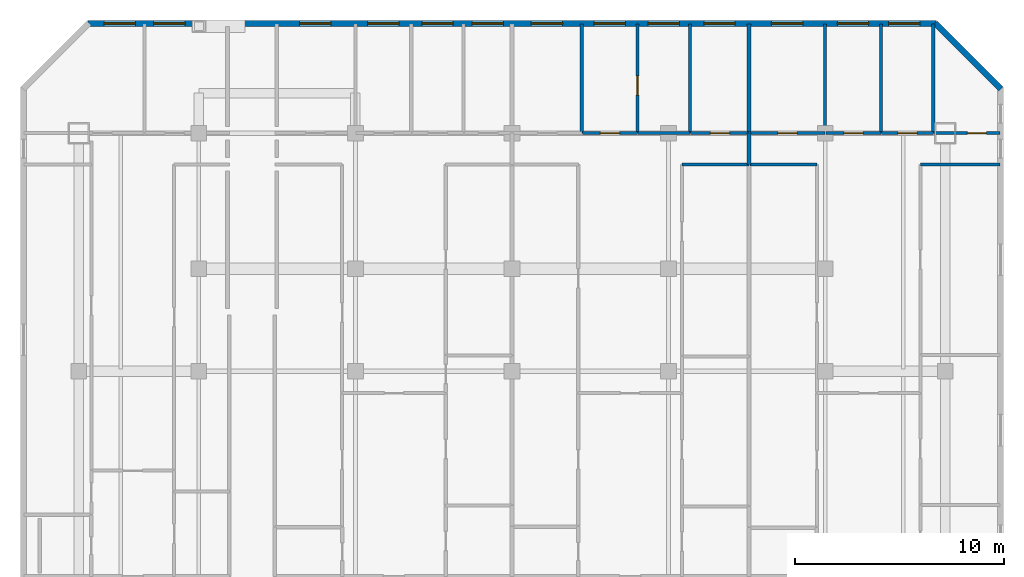
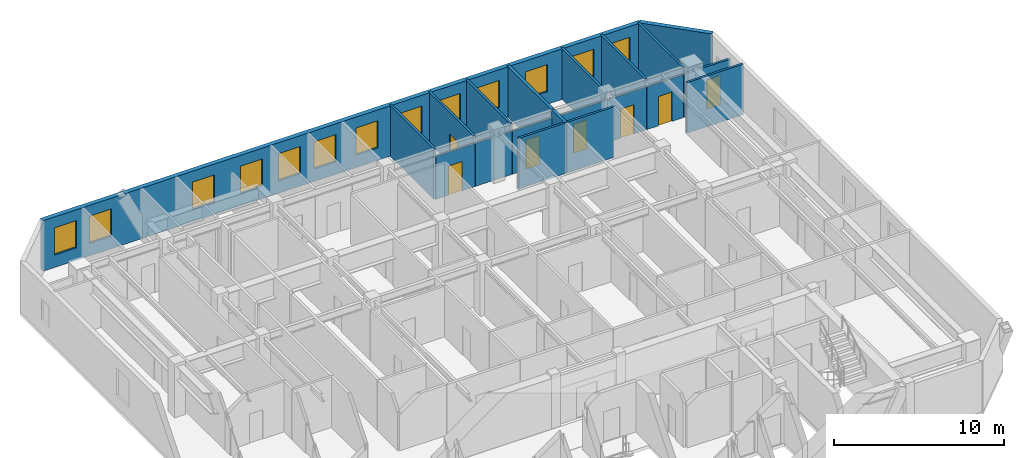
# One storey, part 7 of 9: 20 walls, 13 windows, 7 doors, 20 openings.
"""IFC4 building model written with IfcOpenShell, lengths in metres."""

from ifc_helpers import new_model, si_unit, direction, frame, frame_2d, origin, place, context, subcontext, project, spatial, rectangle, extrude, material, layer, layer_set, type_object, element, fill, save


model = new_model("IFC4")

# Units and contexts
model_context = context("Model", 3, precision=1e-05, world=origin(), true_north=direction((0.0, 1.0)))
body_context = subcontext(model_context, "Body", "Model", "MODEL_VIEW")
ifc_project = project(units=[si_unit("LENGTHUNIT", "METRE"), si_unit("AREAUNIT", "SQUARE_METRE"), si_unit("VOLUMEUNIT", "CUBIC_METRE"), si_unit("PLANEANGLEUNIT", "RADIAN"), si_unit("MASSUNIT", "GRAM", prefix="KILO")], contexts=[model_context])

# Site, building, storey
site_placement = place(None, origin())
site = spatial("IfcSite", under=ifc_project, at=site_placement, CompositionType="ELEMENT")
building_placement = place(site_placement, origin())
building = spatial("IfcBuilding", under=site, at=building_placement, Name="Ventersveld Concourse Tower", CompositionType="ELEMENT")
storey_placement = place(building_placement, frame((0.0, 0.0, 215.699951171875)))
storey = spatial("IfcBuildingStorey", under=building, at=storey_placement, Name="L53", CompositionType="ELEMENT", Elevation=215.699951171875)

# Walls
ifc_material_1 = material(Name="Fire-rated autoclaved aerated masonry blockwork", Category="masonry")
ifc_layer_1 = layer(ifc_material_1, 0.199951171875)
ifc_layer_set_1 = layer_set([ifc_layer_1], Name="Fire-rated autoclaved aerated masonry blockwork")
wall_type_1 = type_object("IfcWallType", Name="WL-DEMISE-200", PredefinedType="PARTITIONING", material=ifc_layer_set_1)
wall_1_placement = place(storey_placement, frame((40.110107421875, 33.4951171875, 0.0), z_axis=(0.0, 0.0, 1.0), x_axis=(0.0, 1.0, 0.0)))
element("IfcWall", 1, at=wall_1_placement, inside=storey, type_object=wall_type_1, Name="L53 Interior Partition SP-L53-53N2-LIV-SP-L53-53N3-LIV", PredefinedType="PARTITIONING", context=body_context, shape_type="SweptSolid", body=[
    extrude(rectangle(XDim=1.509765625, YDim=0.199951171875, at=frame_2d((0.7548828125, 0.0))), origin(), (0.0, 0.0, 1.0), 3.630126953125),
])
wall_2_placement = place(storey_placement, frame((40.110107421875, 35.034912109375, 0.0), z_axis=(0.0, 0.0, 1.0), x_axis=(0.0, 1.0, 0.0)))
element("IfcWall", 2, at=wall_2_placement, inside=storey, type_object=wall_type_1, Name="L53 Interior Partition SP-L53-53N2-BR4-SP-L53-53N3-BR1", PredefinedType="PARTITIONING", context=body_context, shape_type="SweptSolid", body=[
    extrude(rectangle(XDim=5.192626953125, YDim=0.199951171875, at=frame_2d((2.59619140625, 0.0))), origin(), (0.0, 0.0, 1.0), 3.630126953125),
])
ifc_material_2 = material(Name="Autoclaved aerated masonry blockwork", Category="masonry")
ifc_layer_2 = layer(ifc_material_2, 0.14990234375)
ifc_layer_set_2 = layer_set([ifc_layer_2], Name="Autoclaved aerated masonry blockwork")
wall_type_2 = type_object("IfcWallType", Name="WL-INT-150", PredefinedType="PARTITIONING", material=ifc_layer_set_2)
wall_3_placement = place(storey_placement, frame((36.883056640625, 33.5, 0.0), z_axis=(0.0, 0.0, 1.0), x_axis=(1.0, 0.0, 0.0)))
element("IfcWall", 3, at=wall_3_placement, inside=storey, type_object=wall_type_2, Name="L53 Interior Partition SP-L53-53N2-LIV-SP-L53-53N2-DENS", PredefinedType="PARTITIONING", context=body_context, shape_type="SweptSolid", body=[
    extrude(rectangle(XDim=3.23193359375, YDim=0.14990234375, at=frame_2d((1.615966796875, 0.0))), origin(), (0.0, 0.0, 1.0), 3.630126953125),
])

# Wall, opening, door
wall_4_placement = place(storey_placement, frame((32.123779296875, 35.0, 0.0), z_axis=(0.0, 0.0, 1.0), x_axis=(1.0, 0.0, 0.0)))
wall_4 = element("IfcWall", 4, at=wall_4_placement, inside=storey, type_object=wall_type_2, Name="L53 Interior Partition SP-L53-53N2-LIV-SP-L53-53N2-BR2", PredefinedType="PARTITIONING", context=body_context, shape_type="SweptSolid", body=[
    extrude(rectangle(XDim=2.643798828125, YDim=0.14990234375, at=frame_2d((1.32177734375, 0.0))), origin(), (0.0, 0.0, 1.0), 3.08544921875),
])
opening_1_placement = place(wall_4_placement, frame((0.86181640625, 0.0, 0.0)))
opening_1 = element("IfcOpeningElement", 5, at=opening_1_placement, cuts=wall_4, Name="Opening ID1", PredefinedType="OPENING", context=body_context, shape_type="SweptSolid", body=[
    extrude(rectangle(XDim=0.919921875, YDim=2.10009765625, at=frame_2d((0.4599609375, 1.050048828125))), frame((0.0, 0.0849609375, 0.0), z_axis=(0.0, -1.0, 0.0), x_axis=(1.0, 0.0, 0.0)), (0.0, 0.0, 1.0), 0.169921875),
])
ifc_material_3 = material(Name="Solid-core hardwood veneer timber", Category="wood")
door_type = type_object("IfcDoorType", Name="DR-ROOM-092", OperationType="NOTDEFINED", PredefinedType="DOOR", material=ifc_material_3)
door_1_placement = place(opening_1_placement, origin())
door_1 = element("IfcDoor", 6, at=door_1_placement, inside=storey, type_object=door_type, Name="L53 Interior Door SP-L53-53N2-LIV to SP-L53-53N2-BR2 (D-L53-2598)", OperationType="SINGLE_SWING_RIGHT", OverallHeight=2.10009765625, OverallWidth=0.919921875, PredefinedType="DOOR", context=body_context, shape_type="SweptSolid", body=[
    extrude(rectangle(XDim=0.919921875, YDim=2.10009765625, at=frame_2d((0.4599609375, 1.050048828125))), frame((0.0, 0.02490234375, 0.0), z_axis=(0.0, -1.0, 0.0), x_axis=(1.0, 0.0, 0.0)), (0.0, 0.0, 1.0), 0.050048828125),
])
fill(opening_1, door_1)

# Wall
wall_5_placement = place(storey_placement, frame((34.797607421875, 35.0, 0.0), z_axis=(0.0, 0.0, 1.0), x_axis=(1.0, 0.0, 0.0)))
element("IfcWall", 7, at=wall_5_placement, inside=storey, type_object=wall_type_2, Name="L53 Interior Partition SP-L53-53N2-LIV-SP-L53-53N2-BR3", PredefinedType="PARTITIONING", context=body_context, shape_type="SweptSolid", body=[
    extrude(rectangle(XDim=2.4775390625, YDim=0.14990234375, at=frame_2d((1.23876953125, 0.0))), origin(), (0.0, 0.0, 1.0), 3.08544921875),
])

# Wall, opening, door
wall_6_placement = place(storey_placement, frame((37.30517578125, 35.0, 0.0), z_axis=(0.0, 0.0, 1.0), x_axis=(1.0, 0.0, 0.0)))
wall_6 = element("IfcWall", 8, at=wall_6_placement, inside=storey, type_object=wall_type_2, Name="L53 Interior Partition SP-L53-53N2-LIV-SP-L53-53N2-BR4", PredefinedType="PARTITIONING", context=body_context, shape_type="SweptSolid", body=[
    extrude(rectangle(XDim=2.809814453125, YDim=0.14990234375, at=frame_2d((1.40478515625, 0.0))), origin(), (0.0, 0.0, 1.0), 3.08544921875),
])
opening_2_placement = place(wall_6_placement, frame((0.94482421875, 0.0, 0.0)))
opening_2 = element("IfcOpeningElement", 9, at=opening_2_placement, cuts=wall_6, Name="Opening ID1", PredefinedType="OPENING", context=body_context, shape_type="SweptSolid", body=[
    extrude(rectangle(XDim=0.919921875, YDim=2.10009765625, at=frame_2d((0.4599609375, 1.050048828125))), frame((0.0, 0.0849609375, 0.0), z_axis=(0.0, -1.0, 0.0), x_axis=(1.0, 0.0, 0.0)), (0.0, 0.0, 1.0), 0.169921875),
])
door_2_placement = place(opening_2_placement, origin())
door_2 = element("IfcDoor", 10, at=door_2_placement, inside=storey, type_object=door_type, Name="L53 Interior Door SP-L53-53N2-LIV to SP-L53-53N2-BR4 (D-L53-2600)", OperationType="SINGLE_SWING_RIGHT", OverallHeight=2.10009765625, OverallWidth=0.919921875, PredefinedType="DOOR", context=body_context, shape_type="SweptSolid", body=[
    extrude(rectangle(XDim=0.919921875, YDim=2.10009765625, at=frame_2d((0.4599609375, 1.050048828125))), frame((0.0, 0.02490234375, 0.0), z_axis=(0.0, -1.0, 0.0), x_axis=(1.0, 0.0, 0.0)), (0.0, 0.0, 1.0), 0.050048828125),
])
fill(opening_2, door_2)

# Wall
wall_7_placement = place(storey_placement, frame((32.0888671875, 34.9951171875, 0.0), z_axis=(0.0, 0.0, 1.0), x_axis=(0.0, 1.0, 0.0)))
element("IfcWall", 11, at=wall_7_placement, inside=storey, type_object=wall_type_2, Name="L53 Interior Partition SP-L53-53N2-BR1-SP-L53-53N2-BR2", PredefinedType="PARTITIONING", context=body_context, shape_type="SweptSolid", body=[
    extrude(rectangle(XDim=5.232421875, YDim=0.14990234375, at=frame_2d((2.6162109375, 0.0))), origin(), (0.0, 0.0, 1.0), 3.630126953125),
])

# Wall, opening, door
wall_8_placement = place(storey_placement, frame((34.7626953125, 34.9951171875, 0.0), z_axis=(0.0, 0.0, 1.0), x_axis=(0.0, 1.0, 0.0)))
wall_8 = element("IfcWall", 12, at=wall_8_placement, inside=storey, type_object=wall_type_2, Name="L53 Interior Partition SP-L53-53N2-BR2-SP-L53-53N2-BR3", PredefinedType="PARTITIONING", context=body_context, shape_type="SweptSolid", body=[
    extrude(rectangle(XDim=5.232421875, YDim=0.14990234375, at=frame_2d((2.6162109375, 0.0))), origin(), (0.0, 0.0, 1.0), 3.630126953125),
])
opening_3_placement = place(wall_8_placement, frame((1.830078125, 0.0, 0.0)))
opening_3 = element("IfcOpeningElement", 13, at=opening_3_placement, cuts=wall_8, Name="Opening ID1", PredefinedType="OPENING", context=body_context, shape_type="SweptSolid", body=[
    extrude(rectangle(XDim=0.919921875, YDim=2.10009765625, at=frame_2d((0.4599609375, 1.050048828125))), frame((0.0, 0.0849609375, 0.0), z_axis=(0.0, -1.0, 0.0), x_axis=(1.0, 0.0, 0.0)), (0.0, 0.0, 1.0), 0.169921875),
])
door_3_placement = place(opening_3_placement, origin())
door_3 = element("IfcDoor", 14, at=door_3_placement, inside=storey, type_object=door_type, Name="L53 Interior Door Flat 53N2 Bedroom 3 (D-L53-2613)", OperationType="SINGLE_SWING_RIGHT", OverallHeight=2.10009765625, OverallWidth=0.919921875, PredefinedType="DOOR", context=body_context, shape_type="SweptSolid", body=[
    extrude(rectangle(XDim=0.919921875, YDim=2.10009765625, at=frame_2d((0.4599609375, 1.050048828125))), frame((0.0, 0.02490234375, 0.0), z_axis=(0.0, -1.0, 0.0), x_axis=(1.0, 0.0, 0.0)), (0.0, 0.0, 1.0), 0.050048828125),
])
fill(opening_3, door_3)

# Walls
wall_9_placement = place(storey_placement, frame((37.27001953125, 34.9951171875, 0.0), z_axis=(0.0, 0.0, 1.0), x_axis=(0.0, 1.0, 0.0)))
element("IfcWall", 15, at=wall_9_placement, inside=storey, type_object=wall_type_2, Name="L53 Interior Partition SP-L53-53N2-BR3-SP-L53-53N2-BR4", PredefinedType="PARTITIONING", context=body_context, shape_type="SweptSolid", body=[
    extrude(rectangle(XDim=5.232421875, YDim=0.14990234375, at=frame_2d((2.6162109375, 0.0))), origin(), (0.0, 0.0, 1.0), 3.630126953125),
])
wall_10_placement = place(storey_placement, frame((40.14501953125, 33.5, 0.0), z_axis=(0.0, 0.0, 1.0), x_axis=(1.0, 0.0, 0.0)))
element("IfcWall", 16, at=wall_10_placement, inside=storey, type_object=wall_type_2, Name="L53 Interior Partition SP-L53-53N3-LIV-SP-L53-53N3-SEML0", PredefinedType="PARTITIONING", context=body_context, shape_type="SweptSolid", body=[
    extrude(rectangle(XDim=3.215087890625, YDim=0.14990234375, at=frame_2d((1.607421875, 0.0))), origin(), (0.0, 0.0, 1.0), 3.630126953125),
])
wall_11_placement = place(storey_placement, frame((48.31298828125, 33.5, 0.0), z_axis=(0.0, 0.0, 1.0), x_axis=(1.0, 0.0, 0.0)))
element("IfcWall", 17, at=wall_11_placement, inside=storey, type_object=wall_type_2, Name="L53 Interior Partition SP-L53-53N3-LIV-SP-L53-53N3-DENS", PredefinedType="PARTITIONING", context=body_context, shape_type="SweptSolid", body=[
    extrude(rectangle(XDim=3.814453125, YDim=0.14990234375, at=frame_2d((1.9072265625, 0.0))), origin(), (0.0, 0.0, 1.0), 3.630126953125),
])

# Wall, opening, door
wall_12_placement = place(storey_placement, frame((40.14501953125, 35.0, 0.0), z_axis=(0.0, 0.0, 1.0), x_axis=(1.0, 0.0, 0.0)))
wall_12 = element("IfcWall", 18, at=wall_12_placement, inside=storey, type_object=wall_type_2, Name="L53 Interior Partition SP-L53-53N3-LIV-SP-L53-53N3-BR1", PredefinedType="PARTITIONING", context=body_context, shape_type="SweptSolid", body=[
    extrude(rectangle(XDim=3.60986328125, YDim=0.14990234375, at=frame_2d((1.804931640625, 0.0))), origin(), (0.0, 0.0, 1.0), 3.08544921875),
])
opening_4_placement = place(wall_12_placement, frame((1.344970703125, 0.0, 0.0)))
opening_4 = element("IfcOpeningElement", 19, at=opening_4_placement, cuts=wall_12, Name="Opening ID1", PredefinedType="OPENING", context=body_context, shape_type="SweptSolid", body=[
    extrude(rectangle(XDim=0.919921875, YDim=2.10009765625, at=frame_2d((0.4599609375, 1.050048828125))), frame((0.0, 0.0849609375, 0.0), z_axis=(0.0, -1.0, 0.0), x_axis=(1.0, 0.0, 0.0)), (0.0, 0.0, 1.0), 0.169921875),
])
door_4_placement = place(opening_4_placement, origin())
door_4 = element("IfcDoor", 20, at=door_4_placement, inside=storey, type_object=door_type, Name="L53 Interior Door SP-L53-53N3-LIV to SP-L53-53N3-BR1 (D-L53-2609)", OperationType="SINGLE_SWING_LEFT", OverallHeight=2.10009765625, OverallWidth=0.919921875, PredefinedType="DOOR", context=body_context, shape_type="SweptSolid", body=[
    extrude(rectangle(XDim=0.919921875, YDim=2.10009765625, at=frame_2d((0.4599609375, 1.050048828125))), frame((0.0, 0.02490234375, 0.0), z_axis=(0.0, -1.0, 0.0), x_axis=(1.0, 0.0, 0.0)), (0.0, 0.0, 1.0), 0.050048828125),
])
fill(opening_4, door_4)

wall_13_placement = place(storey_placement, frame((43.784912109375, 35.0, 0.0), z_axis=(0.0, 0.0, 1.0), x_axis=(1.0, 0.0, 0.0)))
wall_13 = element("IfcWall", 21, at=wall_13_placement, inside=storey, type_object=wall_type_2, Name="L53 Interior Partition SP-L53-53N3-LIV-SP-L53-53N3-BR2", PredefinedType="PARTITIONING", context=body_context, shape_type="SweptSolid", body=[
    extrude(rectangle(XDim=2.643798828125, YDim=0.14990234375, at=frame_2d((1.32177734375, 0.0))), origin(), (0.0, 0.0, 1.0), 3.08544921875),
])
opening_5_placement = place(wall_13_placement, frame((0.86181640625, 0.0, 0.0)))
opening_5 = element("IfcOpeningElement", 22, at=opening_5_placement, cuts=wall_13, Name="Opening ID1", PredefinedType="OPENING", context=body_context, shape_type="SweptSolid", body=[
    extrude(rectangle(XDim=0.919921875, YDim=2.10009765625, at=frame_2d((0.4599609375, 1.050048828125))), frame((0.0, 0.0849609375, 0.0), z_axis=(0.0, -1.0, 0.0), x_axis=(1.0, 0.0, 0.0)), (0.0, 0.0, 1.0), 0.169921875),
])
door_5_placement = place(opening_5_placement, origin())
door_5 = element("IfcDoor", 23, at=door_5_placement, inside=storey, type_object=door_type, Name="L53 Interior Door SP-L53-53N3-LIV to SP-L53-53N3-BR2 (D-L53-2610)", OperationType="SINGLE_SWING_RIGHT", OverallHeight=2.10009765625, OverallWidth=0.919921875, PredefinedType="DOOR", context=body_context, shape_type="SweptSolid", body=[
    extrude(rectangle(XDim=0.919921875, YDim=2.10009765625, at=frame_2d((0.4599609375, 1.050048828125))), frame((0.0, 0.02490234375, 0.0), z_axis=(0.0, -1.0, 0.0), x_axis=(1.0, 0.0, 0.0)), (0.0, 0.0, 1.0), 0.050048828125),
])
fill(opening_5, door_5)

wall_14_placement = place(storey_placement, frame((46.458740234375, 35.0, 0.0), z_axis=(0.0, 0.0, 1.0), x_axis=(1.0, 0.0, 0.0)))
wall_14 = element("IfcWall", 24, at=wall_14_placement, inside=storey, type_object=wall_type_2, Name="L53 Interior Partition SP-L53-53N3-LIV-SP-L53-53N3-BR3", PredefinedType="PARTITIONING", context=body_context, shape_type="SweptSolid", body=[
    extrude(rectangle(XDim=2.4775390625, YDim=0.14990234375, at=frame_2d((1.23876953125, 0.0))), origin(), (0.0, 0.0, 1.0), 3.08544921875),
])
opening_6_placement = place(wall_14_placement, frame((0.77880859375, 0.0, 0.0)))
opening_6 = element("IfcOpeningElement", 25, at=opening_6_placement, cuts=wall_14, Name="Opening ID1", PredefinedType="OPENING", context=body_context, shape_type="SweptSolid", body=[
    extrude(rectangle(XDim=0.919921875, YDim=2.10009765625, at=frame_2d((0.4599609375, 1.050048828125))), frame((0.0, 0.0849609375, 0.0), z_axis=(0.0, -1.0, 0.0), x_axis=(1.0, 0.0, 0.0)), (0.0, 0.0, 1.0), 0.169921875),
])
door_6_placement = place(opening_6_placement, origin())
door_6 = element("IfcDoor", 26, at=door_6_placement, inside=storey, type_object=door_type, Name="L53 Interior Door SP-L53-53N3-LIV to SP-L53-53N3-BR3 (D-L53-2611)", OperationType="SINGLE_SWING_LEFT", OverallHeight=2.10009765625, OverallWidth=0.919921875, PredefinedType="DOOR", context=body_context, shape_type="SweptSolid", body=[
    extrude(rectangle(XDim=0.919921875, YDim=2.10009765625, at=frame_2d((0.4599609375, 1.050048828125))), frame((0.0, 0.02490234375, 0.0), z_axis=(0.0, -1.0, 0.0), x_axis=(1.0, 0.0, 0.0)), (0.0, 0.0, 1.0), 0.050048828125),
])
fill(opening_6, door_6)

wall_15_placement = place(storey_placement, frame((48.96630859375, 35.0, 0.0), z_axis=(0.0, 0.0, 1.0), x_axis=(1.0, 0.0, 0.0)))
wall_15 = element("IfcWall", 27, at=wall_15_placement, inside=storey, type_object=wall_type_2, Name="L53 Interior Partition SP-L53-53N3-LIV-SP-L53-53N3-BR4", PredefinedType="PARTITIONING", context=body_context, shape_type="SweptSolid", body=[
    extrude(rectangle(XDim=3.1611328125, YDim=0.14990234375, at=frame_2d((1.58056640625, 0.0))), origin(), (0.0, 0.0, 1.0), 3.08544921875),
])
opening_7_placement = place(wall_15_placement, frame((1.5947265625, 0.0, 0.0)))
opening_7 = element("IfcOpeningElement", 28, at=opening_7_placement, cuts=wall_15, Name="Opening ID1", PredefinedType="OPENING", context=body_context, shape_type="SweptSolid", body=[
    extrude(rectangle(XDim=0.919921875, YDim=2.10009765625, at=frame_2d((0.4599609375, 1.050048828125))), frame((0.0, 0.0849609375, 0.0), z_axis=(0.0, -1.0, 0.0), x_axis=(1.0, 0.0, 0.0)), (0.0, 0.0, 1.0), 0.169921875),
])
door_7_placement = place(opening_7_placement, origin())
door_7 = element("IfcDoor", 29, at=door_7_placement, inside=storey, type_object=door_type, Name="L53 Interior Door SP-L53-53N3-LIV to SP-L53-53N3-BR4 (D-L53-2612)", OperationType="SINGLE_SWING_RIGHT", OverallHeight=2.10009765625, OverallWidth=0.919921875, PredefinedType="DOOR", context=body_context, shape_type="SweptSolid", body=[
    extrude(rectangle(XDim=0.919921875, YDim=2.10009765625, at=frame_2d((0.4599609375, 1.050048828125))), frame((0.0, 0.02490234375, 0.0), z_axis=(0.0, -1.0, 0.0), x_axis=(1.0, 0.0, 0.0)), (0.0, 0.0, 1.0), 0.050048828125),
])
fill(opening_7, door_7)

# Walls
for number, where, z_axis, x_axis, name in (
    (30, (43.75, 34.9951171875, 0.0), (0.0, 0.0, 1.0), (0.0, 1.0, 0.0), "L53 Interior Partition SP-L53-53N3-BR1-SP-L53-53N3-BR2"),
    (31, (46.423828125, 34.9951171875, 0.0), (0.0, 0.0, 1.0), (0.0, 1.0, 0.0), "L53 Interior Partition SP-L53-53N3-BR2-SP-L53-53N3-BR3"),
    (32, (48.931396484375, 34.9951171875, 0.0), (0.0, 0.0, 1.0), (0.0, 1.0, 0.0), "L53 Interior Partition SP-L53-53N3-BR3-SP-L53-53N3-BR4"),
):
    element("IfcWall", number, at=place(storey_placement, frame(where, z_axis=z_axis, x_axis=x_axis)), inside=storey, type_object=wall_type_2, Name=name, PredefinedType="PARTITIONING", context=body_context, shape_type="SweptSolid", body=[
        extrude(rectangle(XDim=5.232421875, YDim=0.14990234375, at=frame_2d((2.6162109375, 0.0))), origin(), (0.0, 0.0, 1.0), 3.630126953125),
    ])
ifc_material_4 = material(Name="Precast concrete C45/55", Category="concrete")
ifc_layer_3 = layer(ifc_material_4, 0.300048828125)
ifc_layer_set_3 = layer_set([ifc_layer_3], Name="Precast concrete C45/55")
wall_type_3 = type_object("IfcWallType", Name="WL-PREC-300", PredefinedType="SOLIDWALL", material=ifc_layer_set_3)
wall_16_placement = place(storey_placement, frame((52.16552734375, 37.122314453125, 0.0), z_axis=(0.0, 0.0, 1.0), x_axis=(-0.707106781187, 0.707106781187, 0.0)))
element("IfcWall", 33, at=wall_16_placement, inside=storey, type_object=wall_type_3, Name="L53 Highveld Precast Facade Wall E04", PredefinedType="SOLIDWALL", context=body_context, shape_type="SweptSolid", body=[
    extrude(rectangle(XDim=4.4453125, YDim=0.300048828125, at=frame_2d((2.22265625, 0.0))), origin(), (0.0, 0.0, 1.0), 3.630126953125),
])

# Wall, openings, windows
wall_17_placement = place(storey_placement, frame((49.06005859375, 40.25, 0.0), z_axis=(0.0, 0.0, 1.0), x_axis=(-1.0, 0.0, 0.0)))
wall_17 = element("IfcWall", 34, at=wall_17_placement, inside=storey, type_object=wall_type_3, Name="L53 Highveld Precast Facade Wall E05", PredefinedType="SOLIDWALL", context=body_context, shape_type="SweptSolid", body=[
    extrude(rectangle(XDim=40.6201171875, YDim=0.300048828125, at=frame_2d((20.31005859375, 0.0))), origin(), (0.0, 0.0, 1.0), 3.630126953125),
])
opening_8_placement = place(wall_17_placement, frame((38.35009765625, 0.0, 0.89990234375)))
opening_8 = element("IfcOpeningElement", 35, at=opening_8_placement, cuts=wall_17, Name="Opening W1", PredefinedType="OPENING", context=body_context, shape_type="SweptSolid", body=[
    extrude(rectangle(XDim=1.5, YDim=1.949951171875, at=frame_2d((0.75, 0.97509765625))), frame((0.0, 0.16015625, 0.0), z_axis=(0.0, -1.0, 0.0), x_axis=(1.0, 0.0, 0.0)), (0.0, 0.0, 1.0), 0.320068359375),
])
opening_9_placement = place(wall_17_placement, frame((35.97509765625, 0.0, 0.89990234375)))
opening_9 = element("IfcOpeningElement", 36, at=opening_9_placement, cuts=wall_17, Name="Opening W1", PredefinedType="OPENING", context=body_context, shape_type="SweptSolid", body=[
    extrude(rectangle(XDim=1.5, YDim=1.949951171875, at=frame_2d((0.75, 0.97509765625))), frame((0.0, 0.16015625, 0.0), z_axis=(0.0, -1.0, 0.0), x_axis=(1.0, 0.0, 0.0)), (0.0, 0.0, 1.0), 0.320068359375),
])
opening_10_placement = place(wall_17_placement, frame((28.989990234375, 0.0, 0.89990234375)))
opening_10 = element("IfcOpeningElement", 37, at=opening_10_placement, cuts=wall_17, Name="Opening W1", PredefinedType="OPENING", context=body_context, shape_type="SweptSolid", body=[
    extrude(rectangle(XDim=1.5, YDim=1.949951171875, at=frame_2d((0.75, 0.97509765625))), frame((0.0, 0.16015625, 0.0), z_axis=(0.0, -1.0, 0.0), x_axis=(1.0, 0.0, 0.0)), (0.0, 0.0, 1.0), 0.320068359375),
])
opening_11_placement = place(wall_17_placement, frame((25.72314453125, 0.0, 0.89990234375)))
opening_11 = element("IfcOpeningElement", 38, at=opening_11_placement, cuts=wall_17, Name="Opening W1", PredefinedType="OPENING", context=body_context, shape_type="SweptSolid", body=[
    extrude(rectangle(XDim=1.5, YDim=1.949951171875, at=frame_2d((0.75, 0.97509765625))), frame((0.0, 0.16015625, 0.0), z_axis=(0.0, -1.0, 0.0), x_axis=(1.0, 0.0, 0.0)), (0.0, 0.0, 1.0), 0.320068359375),
])
opening_12_placement = place(wall_17_placement, frame((23.132568359375, 0.0, 0.89990234375)))
opening_12 = element("IfcOpeningElement", 39, at=opening_12_placement, cuts=wall_17, Name="Opening W1", PredefinedType="OPENING", context=body_context, shape_type="SweptSolid", body=[
    extrude(rectangle(XDim=1.5, YDim=1.949951171875, at=frame_2d((0.75, 0.97509765625))), frame((0.0, 0.16015625, 0.0), z_axis=(0.0, -1.0, 0.0), x_axis=(1.0, 0.0, 0.0)), (0.0, 0.0, 1.0), 0.320068359375),
])
opening_13_placement = place(wall_17_placement, frame((20.719482421875, 0.0, 0.89990234375)))
opening_13 = element("IfcOpeningElement", 40, at=opening_13_placement, cuts=wall_17, Name="Opening W1", PredefinedType="OPENING", context=body_context, shape_type="SweptSolid", body=[
    extrude(rectangle(XDim=1.5, YDim=1.949951171875, at=frame_2d((0.75, 0.97509765625))), frame((0.0, 0.16015625, 0.0), z_axis=(0.0, -1.0, 0.0), x_axis=(1.0, 0.0, 0.0)), (0.0, 0.0, 1.0), 0.320068359375),
])
opening_14_placement = place(wall_17_placement, frame((17.890625, 0.0, 0.89990234375)))
opening_14 = element("IfcOpeningElement", 41, at=opening_14_placement, cuts=wall_17, Name="Opening W1", PredefinedType="OPENING", context=body_context, shape_type="SweptSolid", body=[
    extrude(rectangle(XDim=1.5, YDim=1.949951171875, at=frame_2d((0.75, 0.97509765625))), frame((0.0, 0.16015625, 0.0), z_axis=(0.0, -1.0, 0.0), x_axis=(1.0, 0.0, 0.0)), (0.0, 0.0, 1.0), 0.320068359375),
])
opening_15_placement = place(wall_17_placement, frame((14.88427734375, 0.0, 0.89990234375)))
opening_15 = element("IfcOpeningElement", 42, at=opening_15_placement, cuts=wall_17, Name="Opening W1", PredefinedType="OPENING", context=body_context, shape_type="SweptSolid", body=[
    extrude(rectangle(XDim=1.5, YDim=1.949951171875, at=frame_2d((0.75, 0.97509765625))), frame((0.0, 0.16015625, 0.0), z_axis=(0.0, -1.0, 0.0), x_axis=(1.0, 0.0, 0.0)), (0.0, 0.0, 1.0), 0.320068359375),
])
opening_16_placement = place(wall_17_placement, frame((12.293701171875, 0.0, 0.89990234375)))
opening_16 = element("IfcOpeningElement", 43, at=opening_16_placement, cuts=wall_17, Name="Opening W1", PredefinedType="OPENING", context=body_context, shape_type="SweptSolid", body=[
    extrude(rectangle(XDim=1.5, YDim=1.949951171875, at=frame_2d((0.75, 0.97509765625))), frame((0.0, 0.16015625, 0.0), z_axis=(0.0, -1.0, 0.0), x_axis=(1.0, 0.0, 0.0)), (0.0, 0.0, 1.0), 0.320068359375),
])
opening_17_placement = place(wall_17_placement, frame((9.619873046875, 0.0, 0.89990234375)))
opening_17 = element("IfcOpeningElement", 44, at=opening_17_placement, cuts=wall_17, Name="Opening W1", PredefinedType="OPENING", context=body_context, shape_type="SweptSolid", body=[
    extrude(rectangle(XDim=1.5, YDim=1.949951171875, at=frame_2d((0.75, 0.97509765625))), frame((0.0, 0.16015625, 0.0), z_axis=(0.0, -1.0, 0.0), x_axis=(1.0, 0.0, 0.0)), (0.0, 0.0, 1.0), 0.320068359375),
])
opening_18_placement = place(wall_17_placement, frame((6.3798828125, 0.0, 0.89990234375)))
opening_18 = element("IfcOpeningElement", 45, at=opening_18_placement, cuts=wall_17, Name="Opening W1", PredefinedType="OPENING", context=body_context, shape_type="SweptSolid", body=[
    extrude(rectangle(XDim=1.5, YDim=1.949951171875, at=frame_2d((0.75, 0.97509765625))), frame((0.0, 0.16015625, 0.0), z_axis=(0.0, -1.0, 0.0), x_axis=(1.0, 0.0, 0.0)), (0.0, 0.0, 1.0), 0.320068359375),
])
opening_19_placement = place(wall_17_placement, frame((3.22314453125, 0.0, 0.89990234375)))
opening_19 = element("IfcOpeningElement", 46, at=opening_19_placement, cuts=wall_17, Name="Opening W1", PredefinedType="OPENING", context=body_context, shape_type="SweptSolid", body=[
    extrude(rectangle(XDim=1.5, YDim=1.949951171875, at=frame_2d((0.75, 0.97509765625))), frame((0.0, 0.16015625, 0.0), z_axis=(0.0, -1.0, 0.0), x_axis=(1.0, 0.0, 0.0)), (0.0, 0.0, 1.0), 0.320068359375),
])
opening_20_placement = place(wall_17_placement, frame((0.77001953125, 0.0, 0.89990234375)))
opening_20 = element("IfcOpeningElement", 47, at=opening_20_placement, cuts=wall_17, Name="Opening W1", PredefinedType="OPENING", context=body_context, shape_type="SweptSolid", body=[
    extrude(rectangle(XDim=1.5, YDim=1.949951171875, at=frame_2d((0.75, 0.97509765625))), frame((0.0, 0.16015625, 0.0), z_axis=(0.0, -1.0, 0.0), x_axis=(1.0, 0.0, 0.0)), (0.0, 0.0, 1.0), 0.320068359375),
])
ifc_material_5 = material(Name="Tempered acoustic Low-E IGU", Category="glass")
window_type = type_object("IfcWindowType", Name="WIN-150x210", PartitioningType="SINGLE_PANEL", PredefinedType="WINDOW", material=ifc_material_5)
window_1_placement = place(opening_8_placement, origin())
window_1 = element("IfcWindow", 48, at=window_1_placement, inside=storey, type_object=window_type, Name="L53 Punched Low-E Window W-0748", OverallHeight=1.949951171875, OverallWidth=1.5, PartitioningType="SINGLE_PANEL", PredefinedType="WINDOW", context=body_context, shape_type="SweptSolid", body=[
    extrude(rectangle(XDim=1.5, YDim=1.949951171875, at=frame_2d((0.75, 0.97509765625))), frame((0.0, 0.030029296875, 0.0), z_axis=(0.0, -1.0, 0.0), x_axis=(1.0, 0.0, 0.0)), (0.0, 0.0, 1.0), 0.06005859375),
])
fill(opening_8, window_1)
window_2_placement = place(opening_9_placement, origin())
window_2 = element("IfcWindow", 49, at=window_2_placement, inside=storey, type_object=window_type, Name="L53 Punched Low-E Window W-0749", OverallHeight=1.949951171875, OverallWidth=1.5, PartitioningType="SINGLE_PANEL", PredefinedType="WINDOW", context=body_context, shape_type="SweptSolid", body=[
    extrude(rectangle(XDim=1.5, YDim=1.949951171875, at=frame_2d((0.75, 0.97509765625))), frame((0.0, 0.030029296875, 0.0), z_axis=(0.0, -1.0, 0.0), x_axis=(1.0, 0.0, 0.0)), (0.0, 0.0, 1.0), 0.06005859375),
])
fill(opening_9, window_2)
window_3_placement = place(opening_10_placement, origin())
window_3 = element("IfcWindow", 50, at=window_3_placement, inside=storey, type_object=window_type, Name="L53 Punched Low-E Window W-0750", OverallHeight=1.949951171875, OverallWidth=1.5, PartitioningType="SINGLE_PANEL", PredefinedType="WINDOW", context=body_context, shape_type="SweptSolid", body=[
    extrude(rectangle(XDim=1.5, YDim=1.949951171875, at=frame_2d((0.75, 0.97509765625))), frame((0.0, 0.030029296875, 0.0), z_axis=(0.0, -1.0, 0.0), x_axis=(1.0, 0.0, 0.0)), (0.0, 0.0, 1.0), 0.06005859375),
])
fill(opening_10, window_3)
window_4_placement = place(opening_11_placement, origin())
window_4 = element("IfcWindow", 51, at=window_4_placement, inside=storey, type_object=window_type, Name="L53 Punched Low-E Window W-0751", OverallHeight=1.949951171875, OverallWidth=1.5, PartitioningType="SINGLE_PANEL", PredefinedType="WINDOW", context=body_context, shape_type="SweptSolid", body=[
    extrude(rectangle(XDim=1.5, YDim=1.949951171875, at=frame_2d((0.75, 0.97509765625))), frame((0.0, 0.030029296875, 0.0), z_axis=(0.0, -1.0, 0.0), x_axis=(1.0, 0.0, 0.0)), (0.0, 0.0, 1.0), 0.06005859375),
])
fill(opening_11, window_4)
window_5_placement = place(opening_12_placement, origin())
window_5 = element("IfcWindow", 52, at=window_5_placement, inside=storey, type_object=window_type, Name="L53 Punched Low-E Window W-0752", OverallHeight=1.949951171875, OverallWidth=1.5, PartitioningType="SINGLE_PANEL", PredefinedType="WINDOW", context=body_context, shape_type="SweptSolid", body=[
    extrude(rectangle(XDim=1.5, YDim=1.949951171875, at=frame_2d((0.75, 0.97509765625))), frame((0.0, 0.030029296875, 0.0), z_axis=(0.0, -1.0, 0.0), x_axis=(1.0, 0.0, 0.0)), (0.0, 0.0, 1.0), 0.06005859375),
])
fill(opening_12, window_5)
window_6_placement = place(opening_13_placement, origin())
window_6 = element("IfcWindow", 53, at=window_6_placement, inside=storey, type_object=window_type, Name="L53 Punched Low-E Window W-0753", OverallHeight=1.949951171875, OverallWidth=1.5, PartitioningType="SINGLE_PANEL", PredefinedType="WINDOW", context=body_context, shape_type="SweptSolid", body=[
    extrude(rectangle(XDim=1.5, YDim=1.949951171875, at=frame_2d((0.75, 0.97509765625))), frame((0.0, 0.030029296875, 0.0), z_axis=(0.0, -1.0, 0.0), x_axis=(1.0, 0.0, 0.0)), (0.0, 0.0, 1.0), 0.06005859375),
])
fill(opening_13, window_6)
window_7_placement = place(opening_14_placement, origin())
window_7 = element("IfcWindow", 54, at=window_7_placement, inside=storey, type_object=window_type, Name="L53 Punched Low-E Window W-0754", OverallHeight=1.949951171875, OverallWidth=1.5, PartitioningType="SINGLE_PANEL", PredefinedType="WINDOW", context=body_context, shape_type="SweptSolid", body=[
    extrude(rectangle(XDim=1.5, YDim=1.949951171875, at=frame_2d((0.75, 0.97509765625))), frame((0.0, 0.030029296875, 0.0), z_axis=(0.0, -1.0, 0.0), x_axis=(1.0, 0.0, 0.0)), (0.0, 0.0, 1.0), 0.06005859375),
])
fill(opening_14, window_7)
window_8_placement = place(opening_15_placement, origin())
window_8 = element("IfcWindow", 55, at=window_8_placement, inside=storey, type_object=window_type, Name="L53 Punched Low-E Window W-0755", OverallHeight=1.949951171875, OverallWidth=1.5, PartitioningType="SINGLE_PANEL", PredefinedType="WINDOW", context=body_context, shape_type="SweptSolid", body=[
    extrude(rectangle(XDim=1.5, YDim=1.949951171875, at=frame_2d((0.75, 0.97509765625))), frame((0.0, 0.030029296875, 0.0), z_axis=(0.0, -1.0, 0.0), x_axis=(1.0, 0.0, 0.0)), (0.0, 0.0, 1.0), 0.06005859375),
])
fill(opening_15, window_8)
window_9_placement = place(opening_16_placement, origin())
window_9 = element("IfcWindow", 56, at=window_9_placement, inside=storey, type_object=window_type, Name="L53 Punched Low-E Window W-0756", OverallHeight=1.949951171875, OverallWidth=1.5, PartitioningType="SINGLE_PANEL", PredefinedType="WINDOW", context=body_context, shape_type="SweptSolid", body=[
    extrude(rectangle(XDim=1.5, YDim=1.949951171875, at=frame_2d((0.75, 0.97509765625))), frame((0.0, 0.030029296875, 0.0), z_axis=(0.0, -1.0, 0.0), x_axis=(1.0, 0.0, 0.0)), (0.0, 0.0, 1.0), 0.06005859375),
])
fill(opening_16, window_9)
window_10_placement = place(opening_17_placement, origin())
window_10 = element("IfcWindow", 57, at=window_10_placement, inside=storey, type_object=window_type, Name="L53 Punched Low-E Window W-0757", OverallHeight=1.949951171875, OverallWidth=1.5, PartitioningType="SINGLE_PANEL", PredefinedType="WINDOW", context=body_context, shape_type="SweptSolid", body=[
    extrude(rectangle(XDim=1.5, YDim=1.949951171875, at=frame_2d((0.75, 0.97509765625))), frame((0.0, 0.030029296875, 0.0), z_axis=(0.0, -1.0, 0.0), x_axis=(1.0, 0.0, 0.0)), (0.0, 0.0, 1.0), 0.06005859375),
])
fill(opening_17, window_10)
window_11_placement = place(opening_18_placement, origin())
window_11 = element("IfcWindow", 58, at=window_11_placement, inside=storey, type_object=window_type, Name="L53 Punched Low-E Window W-0762", OverallHeight=1.949951171875, OverallWidth=1.5, PartitioningType="SINGLE_PANEL", PredefinedType="WINDOW", context=body_context, shape_type="SweptSolid", body=[
    extrude(rectangle(XDim=1.5, YDim=1.949951171875, at=frame_2d((0.75, 0.97509765625))), frame((0.0, 0.030029296875, 0.0), z_axis=(0.0, -1.0, 0.0), x_axis=(1.0, 0.0, 0.0)), (0.0, 0.0, 1.0), 0.06005859375),
])
fill(opening_18, window_11)
window_12_placement = place(opening_19_placement, origin())
window_12 = element("IfcWindow", 59, at=window_12_placement, inside=storey, type_object=window_type, Name="L53 Punched Low-E Window W-0763", OverallHeight=1.949951171875, OverallWidth=1.5, PartitioningType="SINGLE_PANEL", PredefinedType="WINDOW", context=body_context, shape_type="SweptSolid", body=[
    extrude(rectangle(XDim=1.5, YDim=1.949951171875, at=frame_2d((0.75, 0.97509765625))), frame((0.0, 0.030029296875, 0.0), z_axis=(0.0, -1.0, 0.0), x_axis=(1.0, 0.0, 0.0)), (0.0, 0.0, 1.0), 0.06005859375),
])
fill(opening_19, window_12)
window_13_placement = place(opening_20_placement, origin())
window_13 = element("IfcWindow", 60, at=window_13_placement, inside=storey, type_object=window_type, Name="L53 Punched Low-E Window W-0764", OverallHeight=1.949951171875, OverallWidth=1.5, PartitioningType="SINGLE_PANEL", PredefinedType="WINDOW", context=body_context, shape_type="SweptSolid", body=[
    extrude(rectangle(XDim=1.5, YDim=1.949951171875, at=frame_2d((0.75, 0.97509765625))), frame((0.0, 0.030029296875, 0.0), z_axis=(0.0, -1.0, 0.0), x_axis=(1.0, 0.0, 0.0)), (0.0, 0.0, 1.0), 0.06005859375),
])
fill(opening_20, window_13)

save(model, "model.ifc")
